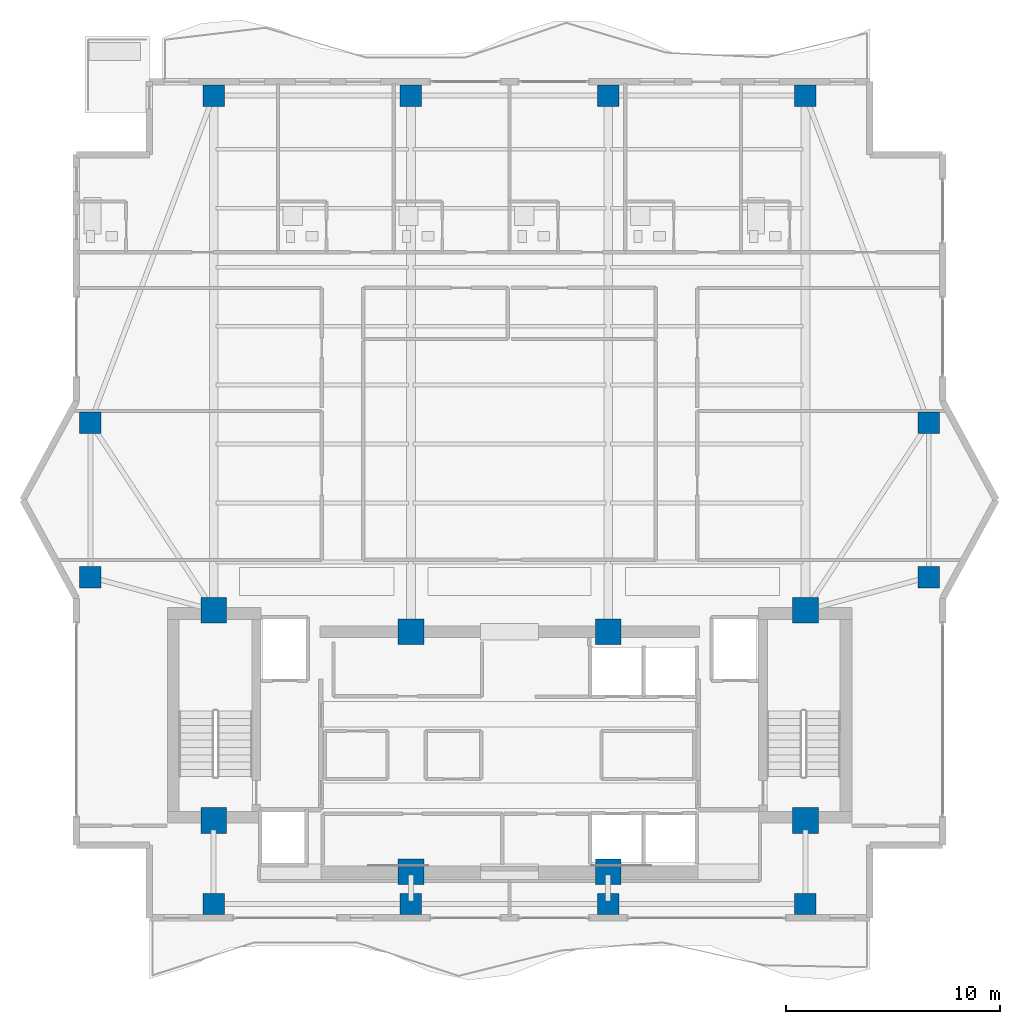
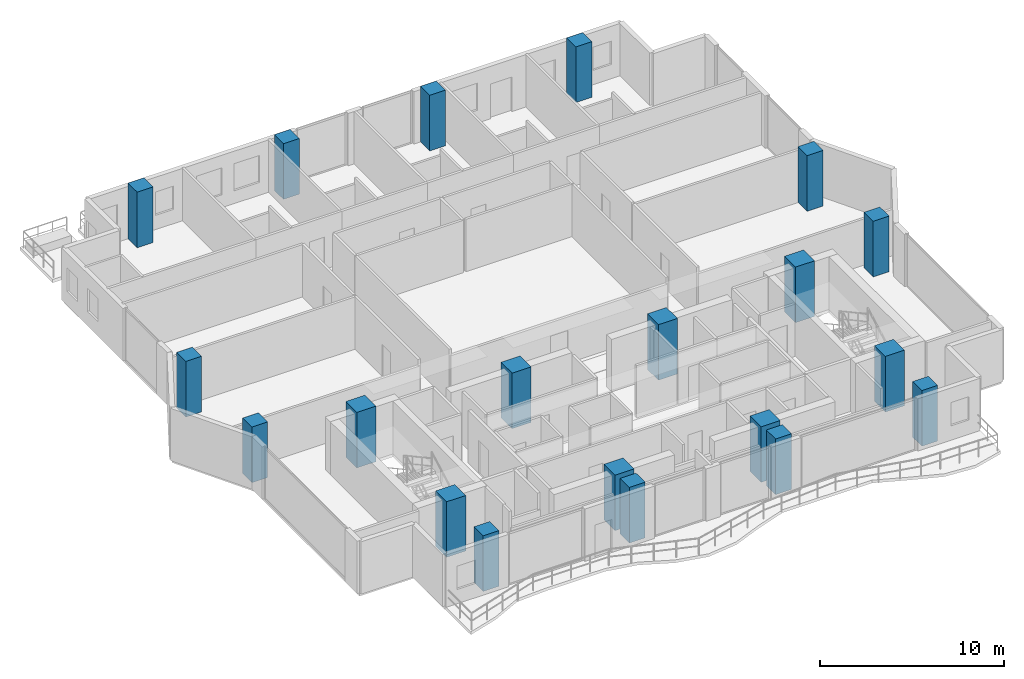
# One storey, part 1 of 23: 20 columns.
"""IFC4 building model written with IfcOpenShell, lengths in metres."""

from ifc_helpers import new_model, si_unit, direction, frame, origin, origin_2d, place, context, subcontext, project, spatial, rectangle, extrude, material, material_profile, profile_set, type_object, element, save


model = new_model("IFC4")

# Units and contexts
model_context = context("Model", 3, precision=1e-05, world=origin(), true_north=direction((0.0, 1.0)))
body_context = subcontext(model_context, "Body", "Model", "MODEL_VIEW")
ifc_project = project(units=[si_unit("LENGTHUNIT", "METRE"), si_unit("AREAUNIT", "SQUARE_METRE"), si_unit("VOLUMEUNIT", "CUBIC_METRE"), si_unit("PLANEANGLEUNIT", "RADIAN"), si_unit("MASSUNIT", "GRAM", prefix="KILO")], contexts=[model_context])

# Site, building, storey
site_placement = place(None, origin())
site = spatial("IfcSite", under=ifc_project, at=site_placement, CompositionType="ELEMENT")
building_placement = place(site_placement, origin())
building = spatial("IfcBuilding", under=site, at=building_placement, Name="Zuhayl Quay Hotel", CompositionType="ELEMENT")
storey_placement = place(building_placement, frame((0.0, 0.0, 272.949951171875)))
storey = spatial("IfcBuildingStorey", under=building, at=storey_placement, Name="L69", CompositionType="ELEMENT", Elevation=272.949951171875)

# Columns
ifc_material = material(Name="Concrete C60/75", Category="concrete")
ifc_material_profile_1 = material_profile(ifc_material, rectangle(XDim=1.199951171875, YDim=1.199951171875, at=origin_2d()), Name="RC1200X1200")
ifc_profile_set_1 = profile_set([ifc_material_profile_1], Name="Concrete C60/75")
column_type_1 = type_object("IfcColumnType", Name="CL_CC2_1200", PredefinedType="COLUMN", material=ifc_profile_set_1)
for number, where, z_axis, x_axis, name in (
    (1, (-13.800048828125, 14.35009765625, 0.0), (0.0, 0.0, 1.0), (1.0, 0.0, 0.0), "L69 Core Column CC_NW"),
    (2, (-4.60009765625, 13.35009765625, 0.0), (0.0, 0.0, 1.0), (1.0, 0.0, 0.0), "L69 Core Column CC_CNW"),
    (3, (4.60009765625, 13.35009765625, 0.0), (0.0, 0.0, 1.0), (1.0, 0.0, 0.0), "L69 Core Column CC_CNE"),
    (4, (13.800048828125, 14.35009765625, 0.0), (0.0, 0.0, 1.0), (1.0, 0.0, 0.0), "L69 Core Column CC_NE"),
    (5, (-13.800048828125, 4.550048828125, 0.0), (0.0, 0.0, 1.0), (1.0, 0.0, 0.0), "L69 Core Column CC_SW"),
    (6, (-4.60009765625, 2.14990234375, 0.0), (0.0, 0.0, 1.0), (1.0, 0.0, 0.0), "L69 Core Column CC_CSW"),
    (7, (4.60009765625, 2.14990234375, 0.0), (0.0, 0.0, 1.0), (1.0, 0.0, 0.0), "L69 Core Column CC_CSE"),
    (8, (13.800048828125, 4.550048828125, 0.0), (0.0, 0.0, 1.0), (1.0, 0.0, 0.0), "L69 Core Column CC_SE"),
):
    element("IfcColumn", number, at=place(storey_placement, frame(where, z_axis=z_axis, x_axis=x_axis)), inside=storey, type_object=column_type_1, Name=name, PredefinedType="COLUMN", context=body_context, shape_type="SweptSolid", body=[
        extrude(rectangle(XDim=1.199951171875, YDim=1.199951171875, at=origin_2d()), origin(), (0.0, 0.0, 1.0), 3.699951171875),
    ])
ifc_material_profile_2 = material_profile(ifc_material, rectangle(XDim=1.0, YDim=1.0, at=origin_2d()), Name="RC1000X1000")
ifc_profile_set_2 = profile_set([ifc_material_profile_2], Name="Concrete C60/75")
column_type_2 = type_object("IfcColumnType", Name="CL_MC4_1000", PredefinedType="COLUMN", material=ifc_profile_set_2)
for number, where, z_axis, x_axis, name in (
    (9, (-13.800048828125, 0.64990234375, 0.0), (0.0, 0.0, 1.0), (1.0, 0.0, 0.0), "L69 Mega-Column MC_S1"),
    (10, (-4.60009765625, 0.64990234375, 0.0), (0.0, 0.0, 1.0), (1.0, 0.0, 0.0), "L69 Mega-Column MC_S2"),
    (11, (4.60009765625, 0.64990234375, 0.0), (0.0, 0.0, 1.0), (1.0, 0.0, 0.0), "L69 Mega-Column MC_S3"),
    (12, (13.800048828125, 0.64990234375, 0.0), (0.0, 0.0, 1.0), (1.0, 0.0, 0.0), "L69 Mega-Column MC_S4"),
    (13, (-13.800048828125, 38.35009765625, 0.0), (0.0, 0.0, 1.0), (1.0, 0.0, 0.0), "L69 Mega-Column MC_N1"),
    (14, (-4.60009765625, 38.35009765625, 0.0), (0.0, 0.0, 1.0), (1.0, 0.0, 0.0), "L69 Mega-Column MC_N2"),
    (15, (4.60009765625, 38.35009765625, 0.0), (0.0, 0.0, 1.0), (1.0, 0.0, 0.0), "L69 Mega-Column MC_N3"),
    (16, (13.800048828125, 38.35009765625, 0.0), (0.0, 0.0, 1.0), (1.0, 0.0, 0.0), "L69 Mega-Column MC_N4"),
    (17, (-19.550048828125, 15.89990234375, 0.0), (0.0, 0.0, 1.0), (1.0, 0.0, 0.0), "L69 Mega-Column MC_W1"),
    (18, (-19.550048828125, 23.10009765625, 0.0), (0.0, 0.0, 1.0), (1.0, 0.0, 0.0), "L69 Mega-Column MC_W2"),
    (19, (19.550048828125, 15.89990234375, 0.0), (0.0, 0.0, 1.0), (1.0, 0.0, 0.0), "L69 Mega-Column MC_E1"),
    (20, (19.550048828125, 23.10009765625, 0.0), (0.0, 0.0, 1.0), (1.0, 0.0, 0.0), "L69 Mega-Column MC_E2"),
):
    element("IfcColumn", number, at=place(storey_placement, frame(where, z_axis=z_axis, x_axis=x_axis)), inside=storey, type_object=column_type_2, Name=name, PredefinedType="COLUMN", context=body_context, shape_type="SweptSolid", body=[
        extrude(rectangle(XDim=1.0, YDim=1.0, at=origin_2d()), origin(), (0.0, 0.0, 1.0), 3.699951171875),
    ])

save(model, "model.ifc")
